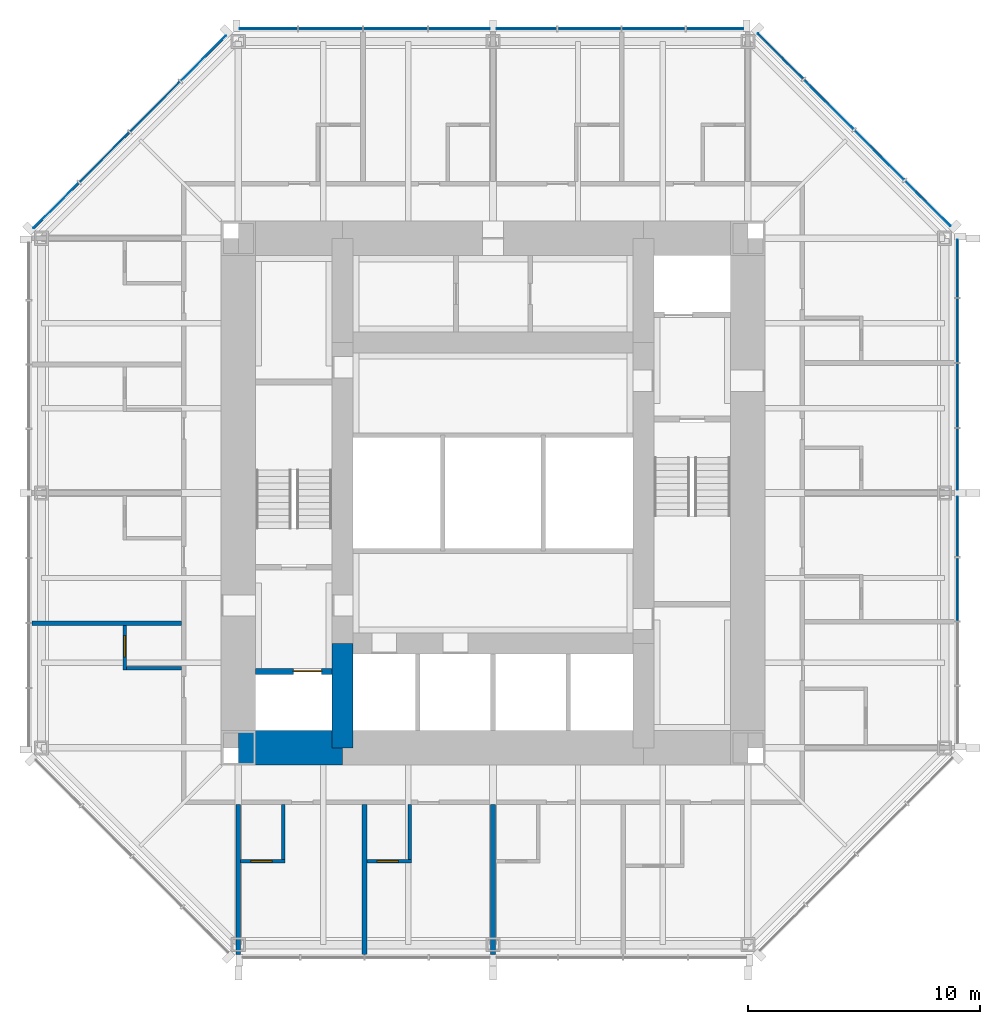
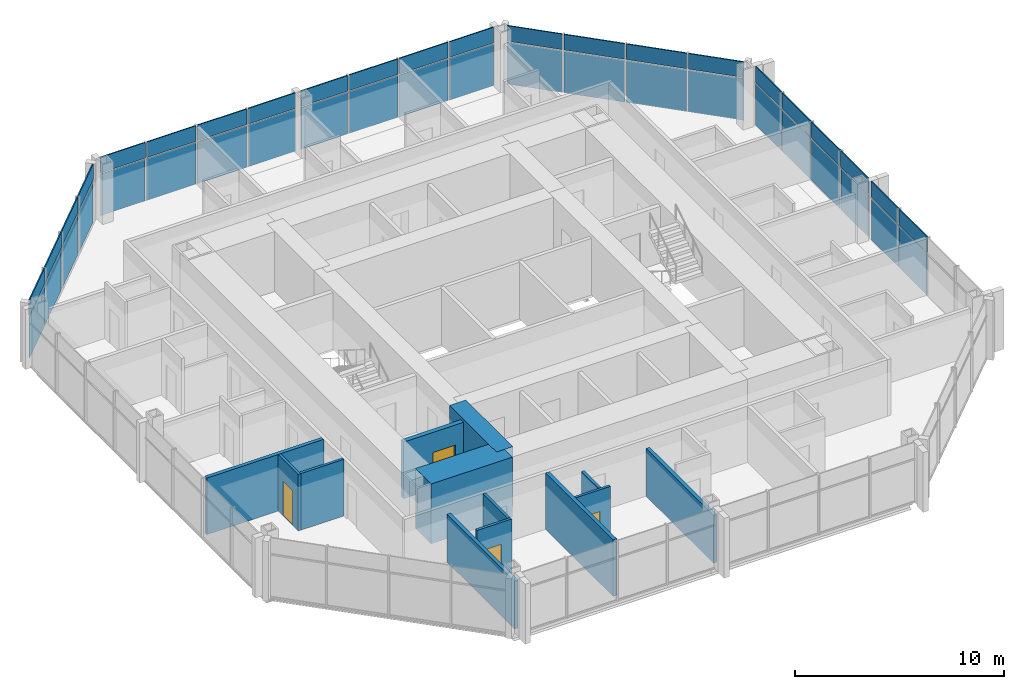
# One storey, part 7 of 12: 44 plates, 13 walls, 4 doors, 4 openings, 4 elements without a shape of their own.
"""IFC4 building model written with IfcOpenShell, lengths in metres."""

from ifc_helpers import new_model, si_unit, direction, frame, frame_2d, origin, origin_2d, place, context, subcontext, project, spatial, rectangle, extrude, material, layer, layer_set, type_object, element, fill, aggregate, save


model = new_model("IFC4")

# Units and contexts
model_context = context("Model", 3, precision=1e-05, world=origin(), true_north=direction((0.0, 1.0)))
body_context = subcontext(model_context, "Body", "Model", "MODEL_VIEW")
ifc_project = project(units=[si_unit("LENGTHUNIT", "METRE"), si_unit("AREAUNIT", "SQUARE_METRE"), si_unit("VOLUMEUNIT", "CUBIC_METRE"), si_unit("PLANEANGLEUNIT", "RADIAN"), si_unit("MASSUNIT", "GRAM", prefix="KILO")], contexts=[model_context])

# Site, building, storey
site_placement = place(None, origin())
site = spatial("IfcSite", under=ifc_project, at=site_placement, CompositionType="ELEMENT")
building_placement = place(site_placement, origin())
building = spatial("IfcBuilding", under=site, at=building_placement, Name="Trevanion Tower", CompositionType="ELEMENT")
storey_placement = place(building_placement, frame((0.0, 0.0, 197.699951171875)))
storey = spatial("IfcBuildingStorey", under=building, at=storey_placement, Name="L46", CompositionType="ELEMENT", Elevation=197.699951171875)

# Curtain wall, plates
ifc_material_1 = material(Name="Aluminium and glass", Category="aluminium")
curtain_wall_type = type_object("IfcCurtainWallType", Name="CW3 curtain wall", PredefinedType="USERDEFINED", material=ifc_material_1)
curtain_wall_1_placement = place(storey_placement, origin())
curtain_wall_1 = element("IfcCurtainWall", 1, at=curtain_wall_1_placement, inside=storey, type_object=curtain_wall_type, Name="CW3 L46 0", ObjectType="UNITISED CURTAIN WALL", PredefinedType="USERDEFINED")
ifc_material_2 = material(Name="Aluminium spandrel panel", Category="aluminium")
ifc_layer_1 = layer(ifc_material_2, 0.06005859375)
ifc_layer_set_1 = layer_set([ifc_layer_1], Name="CW3 spandrel panel")
plate_type_1 = type_object("IfcPlateType", Name="CW3 spandrel panel", PredefinedType="CURTAIN_PANEL", material=ifc_layer_set_1)
plate_1_placement = place(storey_placement, frame((20.050048828125, -4.16162109375, 2.3974609375), z_axis=(0.0, 0.0, 1.0), x_axis=(0.0, 1.0, 0.0)))
plate_1 = element("IfcPlate", 2, at=plate_1_placement, type_object=plate_type_1, Name="CW3 panel 3.2", PredefinedType="CURTAIN_PANEL", context=body_context, shape_type="SweptSolid", body=[
    extrude(rectangle(XDim=2.699462890625, YDim=0.06005859375, at=origin_2d()), origin(), (0.0, 0.0, 1.0), 0.91259765625),
])
plate_2_placement = place(storey_placement, frame((20.050048828125, -1.443603515625, 2.3974609375), z_axis=(0.0, 0.0, 1.0), x_axis=(0.0, 1.0, 0.0)))
plate_2 = element("IfcPlate", 3, at=plate_2_placement, type_object=plate_type_1, Name="CW3 panel 4.2", PredefinedType="CURTAIN_PANEL", context=body_context, shape_type="SweptSolid", body=[
    extrude(rectangle(XDim=2.5869140625, YDim=0.06005859375, at=origin_2d()), origin(), (0.0, 0.0, 1.0), 0.91259765625),
])
plate_3_placement = place(storey_placement, frame((20.050048828125, 1.459716796875, 2.3974609375), z_axis=(0.0, 0.0, 1.0), x_axis=(0.0, 1.0, 0.0)))
plate_3 = element("IfcPlate", 4, at=plate_3_placement, type_object=plate_type_1, Name="CW3 panel 5.2", PredefinedType="CURTAIN_PANEL", context=body_context, shape_type="SweptSolid", body=[
    extrude(rectangle(XDim=2.619384765625, YDim=0.06005859375, at=origin_2d()), origin(), (0.0, 0.0, 1.0), 0.91259765625),
])
plate_4_placement = place(storey_placement, frame((20.050048828125, 4.21044921875, 2.3974609375), z_axis=(0.0, 0.0, 1.0), x_axis=(0.0, 1.0, 0.0)))
plate_4 = element("IfcPlate", 5, at=plate_4_placement, type_object=plate_type_1, Name="CW3 panel 6.2", PredefinedType="CURTAIN_PANEL", context=body_context, shape_type="SweptSolid", body=[
    extrude(rectangle(XDim=2.73193359375, YDim=0.06005859375, at=origin_2d()), origin(), (0.0, 0.0, 1.0), 0.91259765625),
])
plate_5_placement = place(storey_placement, frame((20.050048828125, 7.017333984375, 2.3974609375), z_axis=(0.0, 0.0, 1.0), x_axis=(0.0, 1.0, 0.0)))
plate_5 = element("IfcPlate", 6, at=plate_5_placement, type_object=plate_type_1, Name="CW3 panel 7.2", PredefinedType="CURTAIN_PANEL", context=body_context, shape_type="SweptSolid", body=[
    extrude(rectangle(XDim=2.73193359375, YDim=0.06005859375, at=origin_2d()), origin(), (0.0, 0.0, 1.0), 0.91259765625),
])
plate_6_placement = place(storey_placement, frame((20.050048828125, 9.693115234375, 2.3974609375), z_axis=(0.0, 0.0, 1.0), x_axis=(0.0, 1.0, 0.0)))
plate_6 = element("IfcPlate", 7, at=plate_6_placement, type_object=plate_type_1, Name="CW3 panel 8.2", PredefinedType="CURTAIN_PANEL", context=body_context, shape_type="SweptSolid", body=[
    extrude(rectangle(XDim=2.469482421875, YDim=0.06005859375, at=origin_2d()), origin(), (0.0, 0.0, 1.0), 0.91259765625),
])

curtain_wall_2_placement = place(storey_placement, origin())
curtain_wall_2 = element("IfcCurtainWall", 8, at=curtain_wall_2_placement, inside=storey, type_object=curtain_wall_type, Name="CW3 L46 1", ObjectType="UNITISED CURTAIN WALL", PredefinedType="USERDEFINED")
plate_7_placement = place(storey_placement, frame((18.77392578125, 12.50390625, 2.3974609375), z_axis=(0.0, 0.0, 1.0), x_axis=(-0.707106781187, 0.707106781187, 0.0)))
plate_7 = element("IfcPlate", 9, at=plate_7_placement, type_object=plate_type_1, Name="CW3 panel 1.2", PredefinedType="CURTAIN_PANEL", context=body_context, shape_type="SweptSolid", body=[
    extrude(rectangle(XDim=2.7490234375, YDim=0.06005859375, at=origin_2d()), origin(), (0.0, 0.0, 1.0), 0.91259765625),
])
plate_8_placement = place(storey_placement, frame((16.68408203125, 14.593505859375, 2.3974609375), z_axis=(0.0, 0.0, 1.0), x_axis=(-0.707106781187, 0.707106781187, 0.0)))
plate_8 = element("IfcPlate", 10, at=plate_8_placement, type_object=plate_type_1, Name="CW3 panel 2.2", PredefinedType="CURTAIN_PANEL", context=body_context, shape_type="SweptSolid", body=[
    extrude(rectangle(XDim=3.01171875, YDim=0.06005859375, at=origin_2d()), origin(), (0.0, 0.0, 1.0), 0.91259765625),
])
plate_9_placement = place(storey_placement, frame((14.501708984375, 16.776123046875, 2.3974609375), z_axis=(0.0, 0.0, 1.0), x_axis=(-0.707106781187, 0.707106781187, 0.0)))
plate_9 = element("IfcPlate", 11, at=plate_9_placement, type_object=plate_type_1, Name="CW3 panel 3.2", PredefinedType="CURTAIN_PANEL", context=body_context, shape_type="SweptSolid", body=[
    extrude(rectangle(XDim=3.01171875, YDim=0.06005859375, at=origin_2d()), origin(), (0.0, 0.0, 1.0), 0.91259765625),
])
plate_10_placement = place(storey_placement, frame((12.411865234375, 18.865966796875, 2.3974609375), z_axis=(0.0, 0.0, 1.0), x_axis=(-0.707106781187, 0.707106781187, 0.0)))
plate_10 = element("IfcPlate", 12, at=plate_10_placement, type_object=plate_type_1, Name="CW3 panel 4.2", PredefinedType="CURTAIN_PANEL", context=body_context, shape_type="SweptSolid", body=[
    extrude(rectangle(XDim=2.7490234375, YDim=0.06005859375, at=origin_2d()), origin(), (0.0, 0.0, 1.0), 0.91259765625),
])

curtain_wall_3_placement = place(storey_placement, origin())
curtain_wall_3 = element("IfcCurtainWall", 13, at=curtain_wall_3_placement, inside=storey, type_object=curtain_wall_type, Name="CW3 L46 2", ObjectType="UNITISED CURTAIN WALL", PredefinedType="USERDEFINED")
plate_11_placement = place(storey_placement, frame((9.579345703125, 20.050048828125, 2.3974609375), z_axis=(0.0, 0.0, 1.0), x_axis=(-1.0, 0.0, 0.0)))
plate_11 = element("IfcPlate", 14, at=plate_11_placement, type_object=plate_type_1, Name="CW3 panel 1.2", PredefinedType="CURTAIN_PANEL", context=body_context, shape_type="SweptSolid", body=[
    extrude(rectangle(XDim=2.43701171875, YDim=0.06005859375, at=origin_2d()), origin(), (0.0, 0.0, 1.0), 0.91259765625),
])
plate_12_placement = place(storey_placement, frame((6.93603515625, 20.050048828125, 2.3974609375), z_axis=(0.0, 0.0, 1.0), x_axis=(-1.0, 0.0, 0.0)))
plate_12 = element("IfcPlate", 15, at=plate_12_placement, type_object=plate_type_1, Name="CW3 panel 2.2", PredefinedType="CURTAIN_PANEL", context=body_context, shape_type="SweptSolid", body=[
    extrude(rectangle(XDim=2.699462890625, YDim=0.06005859375, at=origin_2d()), origin(), (0.0, 0.0, 1.0), 0.91259765625),
])
plate_13_placement = place(storey_placement, frame((4.16162109375, 20.050048828125, 2.3974609375), z_axis=(0.0, 0.0, 1.0), x_axis=(-1.0, 0.0, 0.0)))
plate_13 = element("IfcPlate", 16, at=plate_13_placement, type_object=plate_type_1, Name="CW3 panel 3.2", PredefinedType="CURTAIN_PANEL", context=body_context, shape_type="SweptSolid", body=[
    extrude(rectangle(XDim=2.699462890625, YDim=0.06005859375, at=origin_2d()), origin(), (0.0, 0.0, 1.0), 0.91259765625),
])
plate_14_placement = place(storey_placement, frame((1.443603515625, 20.050048828125, 2.3974609375), z_axis=(0.0, 0.0, 1.0), x_axis=(-1.0, 0.0, 0.0)))
plate_14 = element("IfcPlate", 17, at=plate_14_placement, type_object=plate_type_1, Name="CW3 panel 4.2", PredefinedType="CURTAIN_PANEL", context=body_context, shape_type="SweptSolid", body=[
    extrude(rectangle(XDim=2.5869140625, YDim=0.06005859375, at=origin_2d()), origin(), (0.0, 0.0, 1.0), 0.91259765625),
])
plate_15_placement = place(storey_placement, frame((-1.459716796875, 20.050048828125, 2.3974609375), z_axis=(0.0, 0.0, 1.0), x_axis=(-1.0, 0.0, 0.0)))
plate_15 = element("IfcPlate", 18, at=plate_15_placement, type_object=plate_type_1, Name="CW3 panel 5.2", PredefinedType="CURTAIN_PANEL", context=body_context, shape_type="SweptSolid", body=[
    extrude(rectangle(XDim=2.619384765625, YDim=0.06005859375, at=origin_2d()), origin(), (0.0, 0.0, 1.0), 0.91259765625),
])
plate_16_placement = place(storey_placement, frame((-4.21044921875, 20.050048828125, 2.3974609375), z_axis=(0.0, 0.0, 1.0), x_axis=(-1.0, 0.0, 0.0)))
plate_16 = element("IfcPlate", 19, at=plate_16_placement, type_object=plate_type_1, Name="CW3 panel 6.2", PredefinedType="CURTAIN_PANEL", context=body_context, shape_type="SweptSolid", body=[
    extrude(rectangle(XDim=2.73193359375, YDim=0.06005859375, at=origin_2d()), origin(), (0.0, 0.0, 1.0), 0.91259765625),
])
plate_17_placement = place(storey_placement, frame((-7.017333984375, 20.050048828125, 2.3974609375), z_axis=(0.0, 0.0, 1.0), x_axis=(-1.0, 0.0, 0.0)))
plate_17 = element("IfcPlate", 20, at=plate_17_placement, type_object=plate_type_1, Name="CW3 panel 7.2", PredefinedType="CURTAIN_PANEL", context=body_context, shape_type="SweptSolid", body=[
    extrude(rectangle(XDim=2.73193359375, YDim=0.06005859375, at=origin_2d()), origin(), (0.0, 0.0, 1.0), 0.91259765625),
])
plate_18_placement = place(storey_placement, frame((-9.693115234375, 20.050048828125, 2.3974609375), z_axis=(0.0, 0.0, 1.0), x_axis=(-1.0, 0.0, 0.0)))
plate_18 = element("IfcPlate", 21, at=plate_18_placement, type_object=plate_type_1, Name="CW3 panel 8.2", PredefinedType="CURTAIN_PANEL", context=body_context, shape_type="SweptSolid", body=[
    extrude(rectangle(XDim=2.469482421875, YDim=0.06005859375, at=origin_2d()), origin(), (0.0, 0.0, 1.0), 0.91259765625),
])

curtain_wall_4_placement = place(storey_placement, origin())
curtain_wall_4 = element("IfcCurtainWall", 22, at=curtain_wall_4_placement, inside=storey, type_object=curtain_wall_type, Name="CW3 L46 3", ObjectType="UNITISED CURTAIN WALL", PredefinedType="USERDEFINED")
plate_19_placement = place(storey_placement, frame((-12.50390625, 18.77392578125, 2.3974609375), z_axis=(0.0, 0.0, 1.0), x_axis=(-0.707106781187, -0.707106781187, 0.0)))
plate_19 = element("IfcPlate", 23, at=plate_19_placement, type_object=plate_type_1, Name="CW3 panel 1.2", PredefinedType="CURTAIN_PANEL", context=body_context, shape_type="SweptSolid", body=[
    extrude(rectangle(XDim=2.7490234375, YDim=0.06005859375, at=origin_2d()), origin(), (0.0, 0.0, 1.0), 0.91259765625),
])
plate_20_placement = place(storey_placement, frame((-14.593505859375, 16.68408203125, 2.3974609375), z_axis=(0.0, 0.0, 1.0), x_axis=(-0.707106781187, -0.707106781187, 0.0)))
plate_20 = element("IfcPlate", 24, at=plate_20_placement, type_object=plate_type_1, Name="CW3 panel 2.2", PredefinedType="CURTAIN_PANEL", context=body_context, shape_type="SweptSolid", body=[
    extrude(rectangle(XDim=3.01171875, YDim=0.06005859375, at=origin_2d()), origin(), (0.0, 0.0, 1.0), 0.91259765625),
])
plate_21_placement = place(storey_placement, frame((-16.776123046875, 14.501708984375, 2.3974609375), z_axis=(0.0, 0.0, 1.0), x_axis=(-0.707106781187, -0.707106781187, 0.0)))
plate_21 = element("IfcPlate", 25, at=plate_21_placement, type_object=plate_type_1, Name="CW3 panel 3.2", PredefinedType="CURTAIN_PANEL", context=body_context, shape_type="SweptSolid", body=[
    extrude(rectangle(XDim=3.01171875, YDim=0.06005859375, at=origin_2d()), origin(), (0.0, 0.0, 1.0), 0.91259765625),
])
plate_22_placement = place(storey_placement, frame((-18.865966796875, 12.411865234375, 2.3974609375), z_axis=(0.0, 0.0, 1.0), x_axis=(-0.707106781187, -0.707106781187, 0.0)))
plate_22 = element("IfcPlate", 26, at=plate_22_placement, type_object=plate_type_1, Name="CW3 panel 4.2", PredefinedType="CURTAIN_PANEL", context=body_context, shape_type="SweptSolid", body=[
    extrude(rectangle(XDim=2.7490234375, YDim=0.06005859375, at=origin_2d()), origin(), (0.0, 0.0, 1.0), 0.91259765625),
])

# Plate
ifc_material_3 = material(Name="Insulating glass unit", Category="glass")
ifc_layer_2 = layer(ifc_material_3, 0.028076171875)
ifc_layer_set_2 = layer_set([ifc_layer_2], Name="CW3 vision panel")
plate_type_2 = type_object("IfcPlateType", Name="CW3 vision panel", PredefinedType="CURTAIN_PANEL", material=ifc_layer_set_2)
plate_23_placement = place(storey_placement, frame((20.050048828125, -4.16162109375, -0.114990234375), z_axis=(0.0, 0.0, 1.0), x_axis=(0.0, 1.0, 0.0)))
plate_23 = element("IfcPlate", 27, at=plate_23_placement, type_object=plate_type_2, Name="CW3 panel 3.1", PredefinedType="CURTAIN_PANEL", context=body_context, shape_type="SweptSolid", body=[
    extrude(rectangle(XDim=2.699462890625, YDim=0.028076171875, at=origin_2d()), origin(), (0.0, 0.0, 1.0), 2.4375),
])

plate_24_placement = place(storey_placement, frame((20.050048828125, -1.443603515625, -0.114990234375), z_axis=(0.0, 0.0, 1.0), x_axis=(0.0, 1.0, 0.0)))
plate_24 = element("IfcPlate", 28, at=plate_24_placement, type_object=plate_type_2, Name="CW3 panel 4.1", PredefinedType="CURTAIN_PANEL", context=body_context, shape_type="SweptSolid", body=[
    extrude(rectangle(XDim=2.5869140625, YDim=0.028076171875, at=origin_2d()), origin(), (0.0, 0.0, 1.0), 2.4375),
])

plate_25_placement = place(storey_placement, frame((20.050048828125, 1.459716796875, -0.114990234375), z_axis=(0.0, 0.0, 1.0), x_axis=(0.0, 1.0, 0.0)))
plate_25 = element("IfcPlate", 29, at=plate_25_placement, type_object=plate_type_2, Name="CW3 panel 5.1", PredefinedType="CURTAIN_PANEL", context=body_context, shape_type="SweptSolid", body=[
    extrude(rectangle(XDim=2.619384765625, YDim=0.028076171875, at=origin_2d()), origin(), (0.0, 0.0, 1.0), 2.4375),
])

plate_26_placement = place(storey_placement, frame((20.050048828125, 4.21044921875, -0.114990234375), z_axis=(0.0, 0.0, 1.0), x_axis=(0.0, 1.0, 0.0)))
plate_26 = element("IfcPlate", 30, at=plate_26_placement, type_object=plate_type_2, Name="CW3 panel 6.1", PredefinedType="CURTAIN_PANEL", context=body_context, shape_type="SweptSolid", body=[
    extrude(rectangle(XDim=2.73193359375, YDim=0.028076171875, at=origin_2d()), origin(), (0.0, 0.0, 1.0), 2.4375),
])

plate_27_placement = place(storey_placement, frame((20.050048828125, 7.017333984375, -0.114990234375), z_axis=(0.0, 0.0, 1.0), x_axis=(0.0, 1.0, 0.0)))
plate_27 = element("IfcPlate", 31, at=plate_27_placement, type_object=plate_type_2, Name="CW3 panel 7.1", PredefinedType="CURTAIN_PANEL", context=body_context, shape_type="SweptSolid", body=[
    extrude(rectangle(XDim=2.73193359375, YDim=0.028076171875, at=origin_2d()), origin(), (0.0, 0.0, 1.0), 2.4375),
])

plate_28_placement = place(storey_placement, frame((20.050048828125, 9.693115234375, -0.114990234375), z_axis=(0.0, 0.0, 1.0), x_axis=(0.0, 1.0, 0.0)))
plate_28 = element("IfcPlate", 32, at=plate_28_placement, type_object=plate_type_2, Name="CW3 panel 8.1", PredefinedType="CURTAIN_PANEL", context=body_context, shape_type="SweptSolid", body=[
    extrude(rectangle(XDim=2.469482421875, YDim=0.028076171875, at=origin_2d()), origin(), (0.0, 0.0, 1.0), 2.4375),
])

aggregate(curtain_wall_1, [plate_23, plate_1, plate_24, plate_2, plate_25, plate_3, plate_26, plate_4, plate_27, plate_5, plate_28, plate_6])

plate_29_placement = place(storey_placement, frame((18.77392578125, 12.50390625, -0.114990234375), z_axis=(0.0, 0.0, 1.0), x_axis=(-0.707106781187, 0.707106781187, 0.0)))
plate_29 = element("IfcPlate", 33, at=plate_29_placement, type_object=plate_type_2, Name="CW3 panel 1.1", PredefinedType="CURTAIN_PANEL", context=body_context, shape_type="SweptSolid", body=[
    extrude(rectangle(XDim=2.7490234375, YDim=0.028076171875, at=origin_2d()), origin(), (0.0, 0.0, 1.0), 2.4375),
])

plate_30_placement = place(storey_placement, frame((16.68408203125, 14.593505859375, -0.114990234375), z_axis=(0.0, 0.0, 1.0), x_axis=(-0.707106781187, 0.707106781187, 0.0)))
plate_30 = element("IfcPlate", 34, at=plate_30_placement, type_object=plate_type_2, Name="CW3 panel 2.1", PredefinedType="CURTAIN_PANEL", context=body_context, shape_type="SweptSolid", body=[
    extrude(rectangle(XDim=3.01171875, YDim=0.028076171875, at=origin_2d()), origin(), (0.0, 0.0, 1.0), 2.4375),
])

plate_31_placement = place(storey_placement, frame((14.501708984375, 16.776123046875, -0.114990234375), z_axis=(0.0, 0.0, 1.0), x_axis=(-0.707106781187, 0.707106781187, 0.0)))
plate_31 = element("IfcPlate", 35, at=plate_31_placement, type_object=plate_type_2, Name="CW3 panel 3.1", PredefinedType="CURTAIN_PANEL", context=body_context, shape_type="SweptSolid", body=[
    extrude(rectangle(XDim=3.01171875, YDim=0.028076171875, at=origin_2d()), origin(), (0.0, 0.0, 1.0), 2.4375),
])

plate_32_placement = place(storey_placement, frame((12.411865234375, 18.865966796875, -0.114990234375), z_axis=(0.0, 0.0, 1.0), x_axis=(-0.707106781187, 0.707106781187, 0.0)))
plate_32 = element("IfcPlate", 36, at=plate_32_placement, type_object=plate_type_2, Name="CW3 panel 4.1", PredefinedType="CURTAIN_PANEL", context=body_context, shape_type="SweptSolid", body=[
    extrude(rectangle(XDim=2.7490234375, YDim=0.028076171875, at=origin_2d()), origin(), (0.0, 0.0, 1.0), 2.4375),
])

aggregate(curtain_wall_2, [plate_29, plate_7, plate_30, plate_8, plate_31, plate_9, plate_32, plate_10])

plate_33_placement = place(storey_placement, frame((9.579345703125, 20.050048828125, -0.114990234375), z_axis=(0.0, 0.0, 1.0), x_axis=(-1.0, 0.0, 0.0)))
plate_33 = element("IfcPlate", 37, at=plate_33_placement, type_object=plate_type_2, Name="CW3 panel 1.1", PredefinedType="CURTAIN_PANEL", context=body_context, shape_type="SweptSolid", body=[
    extrude(rectangle(XDim=2.43701171875, YDim=0.028076171875, at=origin_2d()), origin(), (0.0, 0.0, 1.0), 2.4375),
])

plate_34_placement = place(storey_placement, frame((6.93603515625, 20.050048828125, -0.114990234375), z_axis=(0.0, 0.0, 1.0), x_axis=(-1.0, 0.0, 0.0)))
plate_34 = element("IfcPlate", 38, at=plate_34_placement, type_object=plate_type_2, Name="CW3 panel 2.1", PredefinedType="CURTAIN_PANEL", context=body_context, shape_type="SweptSolid", body=[
    extrude(rectangle(XDim=2.699462890625, YDim=0.028076171875, at=origin_2d()), origin(), (0.0, 0.0, 1.0), 2.4375),
])

plate_35_placement = place(storey_placement, frame((4.16162109375, 20.050048828125, -0.114990234375), z_axis=(0.0, 0.0, 1.0), x_axis=(-1.0, 0.0, 0.0)))
plate_35 = element("IfcPlate", 39, at=plate_35_placement, type_object=plate_type_2, Name="CW3 panel 3.1", PredefinedType="CURTAIN_PANEL", context=body_context, shape_type="SweptSolid", body=[
    extrude(rectangle(XDim=2.699462890625, YDim=0.028076171875, at=origin_2d()), origin(), (0.0, 0.0, 1.0), 2.4375),
])

plate_36_placement = place(storey_placement, frame((1.443603515625, 20.050048828125, -0.114990234375), z_axis=(0.0, 0.0, 1.0), x_axis=(-1.0, 0.0, 0.0)))
plate_36 = element("IfcPlate", 40, at=plate_36_placement, type_object=plate_type_2, Name="CW3 panel 4.1", PredefinedType="CURTAIN_PANEL", context=body_context, shape_type="SweptSolid", body=[
    extrude(rectangle(XDim=2.5869140625, YDim=0.028076171875, at=origin_2d()), origin(), (0.0, 0.0, 1.0), 2.4375),
])

plate_37_placement = place(storey_placement, frame((-1.459716796875, 20.050048828125, -0.114990234375), z_axis=(0.0, 0.0, 1.0), x_axis=(-1.0, 0.0, 0.0)))
plate_37 = element("IfcPlate", 41, at=plate_37_placement, type_object=plate_type_2, Name="CW3 panel 5.1", PredefinedType="CURTAIN_PANEL", context=body_context, shape_type="SweptSolid", body=[
    extrude(rectangle(XDim=2.619384765625, YDim=0.028076171875, at=origin_2d()), origin(), (0.0, 0.0, 1.0), 2.4375),
])

plate_38_placement = place(storey_placement, frame((-4.21044921875, 20.050048828125, -0.114990234375), z_axis=(0.0, 0.0, 1.0), x_axis=(-1.0, 0.0, 0.0)))
plate_38 = element("IfcPlate", 42, at=plate_38_placement, type_object=plate_type_2, Name="CW3 panel 6.1", PredefinedType="CURTAIN_PANEL", context=body_context, shape_type="SweptSolid", body=[
    extrude(rectangle(XDim=2.73193359375, YDim=0.028076171875, at=origin_2d()), origin(), (0.0, 0.0, 1.0), 2.4375),
])

plate_39_placement = place(storey_placement, frame((-7.017333984375, 20.050048828125, -0.114990234375), z_axis=(0.0, 0.0, 1.0), x_axis=(-1.0, 0.0, 0.0)))
plate_39 = element("IfcPlate", 43, at=plate_39_placement, type_object=plate_type_2, Name="CW3 panel 7.1", PredefinedType="CURTAIN_PANEL", context=body_context, shape_type="SweptSolid", body=[
    extrude(rectangle(XDim=2.73193359375, YDim=0.028076171875, at=origin_2d()), origin(), (0.0, 0.0, 1.0), 2.4375),
])

plate_40_placement = place(storey_placement, frame((-9.693115234375, 20.050048828125, -0.114990234375), z_axis=(0.0, 0.0, 1.0), x_axis=(-1.0, 0.0, 0.0)))
plate_40 = element("IfcPlate", 44, at=plate_40_placement, type_object=plate_type_2, Name="CW3 panel 8.1", PredefinedType="CURTAIN_PANEL", context=body_context, shape_type="SweptSolid", body=[
    extrude(rectangle(XDim=2.469482421875, YDim=0.028076171875, at=origin_2d()), origin(), (0.0, 0.0, 1.0), 2.4375),
])

aggregate(curtain_wall_3, [plate_33, plate_11, plate_34, plate_12, plate_35, plate_13, plate_36, plate_14, plate_37, plate_15, plate_38, plate_16, plate_39, plate_17, plate_40, plate_18])

plate_41_placement = place(storey_placement, frame((-12.50390625, 18.77392578125, -0.114990234375), z_axis=(0.0, 0.0, 1.0), x_axis=(-0.707106781187, -0.707106781187, 0.0)))
plate_41 = element("IfcPlate", 45, at=plate_41_placement, type_object=plate_type_2, Name="CW3 panel 1.1", PredefinedType="CURTAIN_PANEL", context=body_context, shape_type="SweptSolid", body=[
    extrude(rectangle(XDim=2.7490234375, YDim=0.028076171875, at=origin_2d()), origin(), (0.0, 0.0, 1.0), 2.4375),
])

plate_42_placement = place(storey_placement, frame((-14.593505859375, 16.68408203125, -0.114990234375), z_axis=(0.0, 0.0, 1.0), x_axis=(-0.707106781187, -0.707106781187, 0.0)))
plate_42 = element("IfcPlate", 46, at=plate_42_placement, type_object=plate_type_2, Name="CW3 panel 2.1", PredefinedType="CURTAIN_PANEL", context=body_context, shape_type="SweptSolid", body=[
    extrude(rectangle(XDim=3.01171875, YDim=0.028076171875, at=origin_2d()), origin(), (0.0, 0.0, 1.0), 2.4375),
])

plate_43_placement = place(storey_placement, frame((-16.776123046875, 14.501708984375, -0.114990234375), z_axis=(0.0, 0.0, 1.0), x_axis=(-0.707106781187, -0.707106781187, 0.0)))
plate_43 = element("IfcPlate", 47, at=plate_43_placement, type_object=plate_type_2, Name="CW3 panel 3.1", PredefinedType="CURTAIN_PANEL", context=body_context, shape_type="SweptSolid", body=[
    extrude(rectangle(XDim=3.01171875, YDim=0.028076171875, at=origin_2d()), origin(), (0.0, 0.0, 1.0), 2.4375),
])

plate_44_placement = place(storey_placement, frame((-18.865966796875, 12.411865234375, -0.114990234375), z_axis=(0.0, 0.0, 1.0), x_axis=(-0.707106781187, -0.707106781187, 0.0)))
plate_44 = element("IfcPlate", 48, at=plate_44_placement, type_object=plate_type_2, Name="CW3 panel 4.1", PredefinedType="CURTAIN_PANEL", context=body_context, shape_type="SweptSolid", body=[
    extrude(rectangle(XDim=2.7490234375, YDim=0.028076171875, at=origin_2d()), origin(), (0.0, 0.0, 1.0), 2.4375),
])

aggregate(curtain_wall_4, [plate_41, plate_19, plate_42, plate_20, plate_43, plate_21, plate_44, plate_22])

# Walls
ifc_material_4 = material(Name="Concrete 10,000 psi", Category="concrete")
ifc_layer_3 = layer(ifc_material_4, 1.5)
ifc_layer_set_3 = layer_set([ifc_layer_3], Name="CW1 core wall 1500")
wall_type_1 = type_object("IfcWallType", Name="CW1 core wall 1500", PredefinedType="SHEAR", material=ifc_layer_set_3)
wall_1_placement = place(storey_placement, frame((-11.0, -11.0, 0.0), z_axis=(0.0, 0.0, 1.0), x_axis=(1.0, 0.0, 0.0)))
element("IfcWall", 49, at=wall_1_placement, inside=storey, type_object=wall_type_1, Name="CW1 CS1 L46", PredefinedType="SHEAR", context=body_context, shape_type="SweptSolid", body=[
    extrude(rectangle(XDim=4.5, YDim=1.5, at=frame_2d((2.25, 0.0))), origin(), (0.0, 0.0, 1.0), 3.5),
])
ifc_material_5 = material(Name="Concrete 10,000 psi", Category="concrete")
ifc_layer_4 = layer(ifc_material_5, 0.89990234375)
ifc_layer_set_4 = layer_set([ifc_layer_4], Name="CW2 core wall 900")
wall_type_2 = type_object("IfcWallType", Name="CW2 core wall 900", PredefinedType="SHEAR", material=ifc_layer_set_4)
wall_2_placement = place(storey_placement, frame((-6.5, -6.5, 0.0), z_axis=(0.0, 0.0, 1.0), x_axis=(0.0, -1.0, 0.0)))
element("IfcWall", 50, at=wall_2_placement, inside=storey, type_object=wall_type_2, Name="CW2 RW3 L46", PredefinedType="SHEAR", context=body_context, shape_type="SweptSolid", body=[
    extrude(rectangle(XDim=4.5, YDim=0.89990234375, at=frame_2d((2.25, 0.0))), origin(), (0.0, 0.0, 1.0), 3.5),
])

# Wall, opening, door
ifc_material_6 = material(Name="Gypsum board on steel studs", Category="steel")
ifc_layer_5 = layer(ifc_material_6, 0.14990234375)
ifc_layer_set_5 = layer_set([ifc_layer_5], Name="PT1 partition 150")
wall_type_3 = type_object("IfcWallType", Name="PT1 partition 150", PredefinedType="PARTITIONING", material=ifc_layer_set_5)
wall_3_placement = place(storey_placement, frame((-15.89990234375, -5.714111328125, 0.0), z_axis=(0.0, 0.0, 1.0), x_axis=(0.0, -1.0, 0.0)))
wall_3 = element("IfcWall", 51, at=wall_3_placement, inside=storey, type_object=wall_type_3, Name="PT1 L46 BA23", PredefinedType="PARTITIONING", context=body_context, shape_type="SweptSolid", body=[
    extrude(rectangle(XDim=1.9248046875, YDim=0.14990234375, at=frame_2d((0.96240234375, 0.0))), origin(), (0.0, 0.0, 1.0), 3.31005859375),
])
opening_1_placement = place(wall_3_placement, frame((0.4423828125, 0.0, 0.0)))
opening_1 = element("IfcOpeningElement", 52, at=opening_1_placement, cuts=wall_3, Name="Opening 46-038", PredefinedType="OPENING", context=body_context, shape_type="SweptSolid", body=[
    extrude(rectangle(XDim=0.9150390625, YDim=2.031982421875, at=frame_2d((0.45751953125, 1.01611328125))), frame((0.0, 0.0849609375, 0.0), z_axis=(0.0, -1.0, 0.0), x_axis=(1.0, 0.0, 0.0)), (0.0, 0.0, 1.0), 0.169921875),
])
ifc_material_7 = material(Name="Timber veneer", Category="wood")
door_type_1 = type_object("IfcDoorType", Name="D7 bathroom door", OperationType="SINGLE_SWING_LEFT", PredefinedType="DOOR", material=ifc_material_7)
door_1_placement = place(opening_1_placement, origin())
door_1 = element("IfcDoor", 53, at=door_1_placement, inside=storey, type_object=door_type_1, Name="Door 46-038", OperationType="SINGLE_SWING_LEFT", OverallHeight=2.031982421875, OverallWidth=0.9150390625, PredefinedType="DOOR", context=body_context, shape_type="SweptSolid", body=[
    extrude(rectangle(XDim=0.9150390625, YDim=2.031982421875, at=frame_2d((0.45751953125, 1.01611328125))), frame((0.0, 0.02490234375, 0.0), z_axis=(0.0, -1.0, 0.0), x_axis=(1.0, 0.0, 0.0)), (0.0, 0.0, 1.0), 0.050048828125),
])
fill(opening_1, door_1)

# Wall
wall_4_placement = place(storey_placement, frame((-13.449951171875, -7.56396484375, 0.0), z_axis=(0.0, 0.0, 1.0), x_axis=(-1.0, 0.0, 0.0)))
element("IfcWall", 54, at=wall_4_placement, inside=storey, type_object=wall_type_3, Name="PT1 L46 BB23", PredefinedType="PARTITIONING", context=body_context, shape_type="SweptSolid", body=[
    extrude(rectangle(XDim=2.375, YDim=0.14990234375, at=frame_2d((1.1875, 0.0))), origin(), (0.0, 0.0, 1.0), 3.31005859375),
])

# Wall, opening, door
wall_5_placement = place(storey_placement, frame((-10.89990234375, -15.89990234375, 0.0), z_axis=(0.0, 0.0, 1.0), x_axis=(1.0, 0.0, 0.0)))
wall_5 = element("IfcWall", 55, at=wall_5_placement, inside=storey, type_object=wall_type_3, Name="PT1 L46 BA30", PredefinedType="PARTITIONING", context=body_context, shape_type="SweptSolid", body=[
    extrude(rectangle(XDim=1.9248046875, YDim=0.14990234375, at=frame_2d((0.96240234375, 0.0))), origin(), (0.0, 0.0, 1.0), 3.31005859375),
])
opening_2_placement = place(wall_5_placement, frame((0.4423828125, 0.0, 0.0)))
opening_2 = element("IfcOpeningElement", 56, at=opening_2_placement, cuts=wall_5, Name="Opening 46-040", PredefinedType="OPENING", context=body_context, shape_type="SweptSolid", body=[
    extrude(rectangle(XDim=0.9150390625, YDim=2.031982421875, at=frame_2d((0.45751953125, 1.01611328125))), frame((0.0, 0.0849609375, 0.0), z_axis=(0.0, -1.0, 0.0), x_axis=(1.0, 0.0, 0.0)), (0.0, 0.0, 1.0), 0.169921875),
])
door_2_placement = place(opening_2_placement, origin())
door_2 = element("IfcDoor", 57, at=door_2_placement, inside=storey, type_object=door_type_1, Name="Door 46-040", OperationType="SINGLE_SWING_LEFT", OverallHeight=2.031982421875, OverallWidth=0.9150390625, PredefinedType="DOOR", context=body_context, shape_type="SweptSolid", body=[
    extrude(rectangle(XDim=0.9150390625, YDim=2.031982421875, at=frame_2d((0.45751953125, 1.01611328125))), frame((0.0, 0.02490234375, 0.0), z_axis=(0.0, -1.0, 0.0), x_axis=(1.0, 0.0, 0.0)), (0.0, 0.0, 1.0), 0.050048828125),
])
fill(opening_2, door_2)

# Wall
wall_6_placement = place(storey_placement, frame((-9.050048828125, -13.449951171875, 0.0), z_axis=(0.0, 0.0, 1.0), x_axis=(0.0, -1.0, 0.0)))
element("IfcWall", 58, at=wall_6_placement, inside=storey, type_object=wall_type_3, Name="PT1 L46 BB30", PredefinedType="PARTITIONING", context=body_context, shape_type="SweptSolid", body=[
    extrude(rectangle(XDim=2.375, YDim=0.14990234375, at=frame_2d((1.1875, 0.0))), origin(), (0.0, 0.0, 1.0), 3.31005859375),
])

# Wall, opening, door
wall_7_placement = place(storey_placement, frame((-5.448974609375, -15.89990234375, 0.0), z_axis=(0.0, 0.0, 1.0), x_axis=(1.0, 0.0, 0.0)))
wall_7 = element("IfcWall", 59, at=wall_7_placement, inside=storey, type_object=wall_type_3, Name="PT1 L46 BA31", PredefinedType="PARTITIONING", context=body_context, shape_type="SweptSolid", body=[
    extrude(rectangle(XDim=1.925048828125, YDim=0.14990234375, at=frame_2d((0.96240234375, 0.0))), origin(), (0.0, 0.0, 1.0), 3.31005859375),
])
opening_3_placement = place(wall_7_placement, frame((0.4423828125, 0.0, 0.0)))
opening_3 = element("IfcOpeningElement", 60, at=opening_3_placement, cuts=wall_7, Name="Opening 46-042", PredefinedType="OPENING", context=body_context, shape_type="SweptSolid", body=[
    extrude(rectangle(XDim=0.9150390625, YDim=2.031982421875, at=frame_2d((0.45751953125, 1.01611328125))), frame((0.0, 0.0849609375, 0.0), z_axis=(0.0, -1.0, 0.0), x_axis=(1.0, 0.0, 0.0)), (0.0, 0.0, 1.0), 0.169921875),
])
door_3_placement = place(opening_3_placement, origin())
door_3 = element("IfcDoor", 61, at=door_3_placement, inside=storey, type_object=door_type_1, Name="Door 46-042", OperationType="SINGLE_SWING_LEFT", OverallHeight=2.031982421875, OverallWidth=0.9150390625, PredefinedType="DOOR", context=body_context, shape_type="SweptSolid", body=[
    extrude(rectangle(XDim=0.9150390625, YDim=2.031982421875, at=frame_2d((0.45751953125, 1.01611328125))), frame((0.0, 0.02490234375, 0.0), z_axis=(0.0, -1.0, 0.0), x_axis=(1.0, 0.0, 0.0)), (0.0, 0.0, 1.0), 0.050048828125),
])
fill(opening_3, door_3)

# Walls
wall_8_placement = place(storey_placement, frame((-3.59912109375, -13.449951171875, 0.0), z_axis=(0.0, 0.0, 1.0), x_axis=(0.0, -1.0, 0.0)))
element("IfcWall", 62, at=wall_8_placement, inside=storey, type_object=wall_type_3, Name="PT1 L46 BB31", PredefinedType="PARTITIONING", context=body_context, shape_type="SweptSolid", body=[
    extrude(rectangle(XDim=2.375, YDim=0.14990234375, at=frame_2d((1.1875, 0.0))), origin(), (0.0, 0.0, 1.0), 2.703125),
])
ifc_material_8 = material(Name="Concrete masonry, grouted", Category="masonry")
ifc_layer_6 = layer(ifc_material_8, 0.199951171875)
ifc_layer_set_6 = layer_set([ifc_layer_6], Name="PT2 partition 200 1 HR")
wall_type_4 = type_object("IfcWallType", Name="PT2 partition 200 1 HR", PredefinedType="PARTITIONING", material=ifc_layer_set_6)
wall_9_placement = place(storey_placement, frame((-13.449951171875, -5.614013671875, 0.0), z_axis=(0.0, 0.0, 1.0), x_axis=(-1.0, 0.0, 0.0)))
element("IfcWall", 63, at=wall_9_placement, inside=storey, type_object=wall_type_4, Name="PT2 L46 HD23", PredefinedType="PARTITIONING", context=body_context, shape_type="SweptSolid", body=[
    extrude(rectangle(XDim=6.465087890625, YDim=0.199951171875, at=frame_2d((3.232421875, 0.0))), origin(), (0.0, 0.0, 1.0), 3.31005859375),
])
wall_10_placement = place(storey_placement, frame((-11.0, -13.449951171875, 0.0), z_axis=(0.0, 0.0, 1.0), x_axis=(0.0, -1.0, 0.0)))
element("IfcWall", 64, at=wall_10_placement, inside=storey, type_object=wall_type_4, Name="PT2 L46 HD30", PredefinedType="PARTITIONING", context=body_context, shape_type="SweptSolid", body=[
    extrude(rectangle(XDim=6.465087890625, YDim=0.199951171875, at=frame_2d((3.232421875, 0.0))), origin(), (0.0, 0.0, 1.0), 2.802001953125),
])
wall_11_placement = place(storey_placement, frame((-5.549072265625, -13.449951171875, 0.0), z_axis=(0.0, 0.0, 1.0), x_axis=(0.0, -1.0, 0.0)))
element("IfcWall", 65, at=wall_11_placement, inside=storey, type_object=wall_type_4, Name="PT2 L46 HD31", PredefinedType="PARTITIONING", context=body_context, shape_type="SweptSolid", body=[
    extrude(rectangle(XDim=6.465087890625, YDim=0.199951171875, at=frame_2d((3.232421875, 0.0))), origin(), (0.0, 0.0, 1.0), 3.31005859375),
])
wall_12_placement = place(storey_placement, frame((0.0, -13.449951171875, 0.0), z_axis=(0.0, 0.0, 1.0), x_axis=(0.0, -1.0, 0.0)))
element("IfcWall", 66, at=wall_12_placement, inside=storey, type_object=wall_type_4, Name="PT2 L46 HD32", PredefinedType="PARTITIONING", context=body_context, shape_type="SweptSolid", body=[
    extrude(rectangle(XDim=6.465087890625, YDim=0.199951171875, at=frame_2d((3.232421875, 0.0))), origin(), (0.0, 0.0, 1.0), 2.802001953125),
])

# Wall, opening, door
ifc_material_9 = material(Name="Concrete masonry, grouted, two-hour", Category="masonry")
ifc_layer_7 = layer(ifc_material_9, 0.25)
ifc_layer_set_7 = layer_set([ifc_layer_7], Name="PT3 partition 250 2 HR")
wall_type_5 = type_object("IfcWallType", Name="PT3 partition 250 2 HR", PredefinedType="PARTITIONING", material=ifc_layer_set_7)
wall_13_placement = place(storey_placement, frame((-6.949951171875, -7.699951171875, 0.0), z_axis=(0.0, 0.0, 1.0), x_axis=(-1.0, 0.0, 0.0)))
wall_13 = element("IfcWall", 67, at=wall_13_placement, inside=storey, type_object=wall_type_5, Name="PT3 L46 WP3", PredefinedType="PARTITIONING", context=body_context, shape_type="SweptSolid", body=[
    extrude(rectangle(XDim=3.300048828125, YDim=0.25, at=frame_2d((1.64990234375, 0.0))), origin(), (0.0, 0.0, 1.0), 3.31005859375),
])
opening_4_placement = place(wall_13_placement, frame((0.449951171875, 0.0, 0.0)))
opening_4 = element("IfcOpeningElement", 68, at=opening_4_placement, cuts=wall_13, Name="Opening 46-008", PredefinedType="OPENING", context=body_context, shape_type="SweptSolid", body=[
    extrude(rectangle(XDim=1.218994140625, YDim=2.134033203125, at=frame_2d((0.609375, 1.06689453125))), frame((0.0, 0.135009765625, 0.0), z_axis=(0.0, -1.0, 0.0), x_axis=(1.0, 0.0, 0.0)), (0.0, 0.0, 1.0), 0.27001953125),
])
ifc_material_10 = material(Name="Stainless steel, fire rated", Category="steel")
door_type_2 = type_object("IfcDoorType", Name="LD2 fire service lift landing door", OperationType="SLIDING_TO_LEFT", PredefinedType="DOOR", material=ifc_material_10)
door_4_placement = place(opening_4_placement, origin())
door_4 = element("IfcDoor", 69, at=door_4_placement, inside=storey, type_object=door_type_2, Name="Door 46-008", OperationType="SLIDING_TO_LEFT", OverallHeight=2.134033203125, OverallWidth=1.218994140625, PredefinedType="DOOR", context=body_context, shape_type="SweptSolid", body=[
    extrude(rectangle(XDim=1.218994140625, YDim=2.134033203125, at=frame_2d((0.609375, 1.06689453125))), frame((0.0, 0.02490234375, 0.0), z_axis=(0.0, -1.0, 0.0), x_axis=(1.0, 0.0, 0.0)), (0.0, 0.0, 1.0), 0.050048828125),
])
fill(opening_4, door_4)

save(model, "model.ifc")
